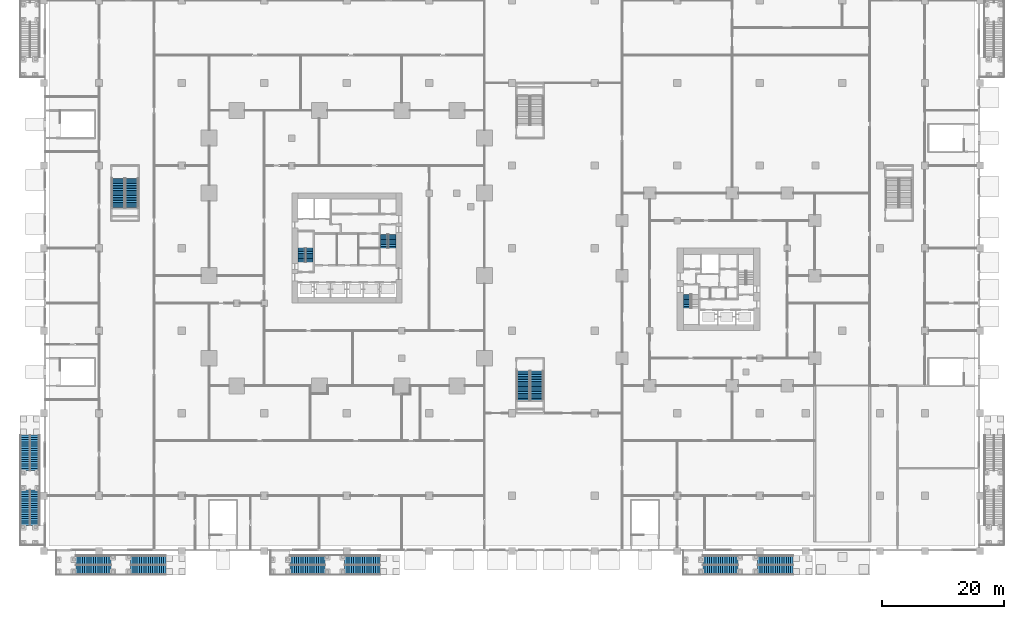
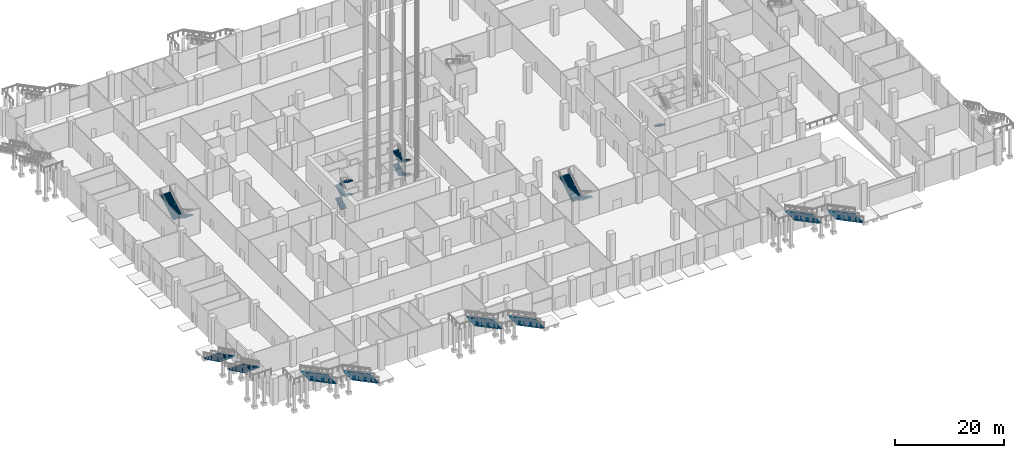
# One storey, part 37 of 68: 21 stair flights, 9 elements without a shape of their own.
"""IFC4 building model written with IfcOpenShell, lengths in metres."""

from ifc_helpers import new_model, si_unit, direction, frame, origin, place, context, subcontext, project, spatial, polyline, outline, extrude, material, type_object, element, aggregate, save


model = new_model("IFC4")

# Units and contexts
model_context = context("Model", 3, precision=1e-05, world=origin(), true_north=direction((0.0, 1.0)))
body_context = subcontext(model_context, "Body", "Model", "MODEL_VIEW")
ifc_project = project(units=[si_unit("LENGTHUNIT", "METRE"), si_unit("AREAUNIT", "SQUARE_METRE"), si_unit("VOLUMEUNIT", "CUBIC_METRE"), si_unit("PLANEANGLEUNIT", "RADIAN"), si_unit("MASSUNIT", "GRAM", prefix="KILO")], contexts=[model_context])

# Site, building, storey
site_placement = place(None, origin())
site = spatial("IfcSite", under=ifc_project, at=site_placement, CompositionType="ELEMENT")
building_placement = place(site_placement, origin())
building = spatial("IfcBuilding", under=site, at=building_placement, Name="Altepetl Exchange Towers", CompositionType="ELEMENT")
storey_placement = place(building_placement, origin())
storey = spatial("IfcBuildingStorey", under=building, at=storey_placement, Name="L00 Ground concourse", CompositionType="ELEMENT", Elevation=0.0)

# Stair, stair flights
ifc_material_1 = material(Name="Reinforced concrete C35/45", Category="concrete")
stair_type_1 = type_object("IfcStairType", Name="Exit garden steps 3200", PredefinedType="TWO_STRAIGHT_RUN_STAIR", material=ifc_material_1)
stair_1_placement = place(storey_placement, origin())
stair_1 = element("IfcStair", 1, at=stair_1_placement, inside=storey, type_object=stair_type_1, Name="ST-G1 exit garden steps", PredefinedType="TWO_STRAIGHT_RUN_STAIR")
stair_flight_type_1 = type_object("IfcStairFlightType", Name="Exit garden steps flight 3200", PredefinedType="STRAIGHT", material=ifc_material_1)
stair_flight_1_placement = place(storey_placement, frame((10.9599609375, -2.300048828125, 3.0), z_axis=(0.0, 0.0, 1.0), x_axis=(-1.0, 0.0, 0.0)))
stair_flight_1 = element("IfcStairFlight", 2, at=stair_flight_1_placement, type_object=stair_flight_type_1, Name="ST-G1 flight 1", NumberOfRisers=17, NumberOfTreads=16, PredefinedType="STRAIGHT", RiserHeight=0.176471, TreadLength=0.36, context=body_context, shape_type="SweptSolid", body=[
    extrude(outline(polyline([(0.0, 0.0), (0.0, 0.176513671875), (0.360107421875, 0.176513671875), (0.360107421875, 0.35302734375), (0.719970703125, 0.35302734375), (0.719970703125, 0.529296875), (1.080078125, 0.529296875), (1.080078125, 0.705810546875), (1.43994140625, 0.705810546875), (1.43994140625, 0.88232421875), (1.800048828125, 0.88232421875), (1.800048828125, 1.058837890625), (2.159912109375, 1.058837890625), (2.159912109375, 1.2353515625), (2.52001953125, 1.2353515625), (2.52001953125, 1.411865234375), (2.8798828125, 1.411865234375), (2.8798828125, 1.588134765625), (3.239990234375, 1.588134765625), (3.239990234375, 1.7646484375), (3.60009765625, 1.7646484375), (3.60009765625, 1.941162109375), (3.9599609375, 1.941162109375), (3.9599609375, 2.11767578125), (4.320068359375, 2.11767578125), (4.320068359375, 2.294189453125), (4.679931640625, 2.294189453125), (4.679931640625, 2.470703125), (5.0400390625, 2.470703125), (5.0400390625, 2.64697265625), (5.39990234375, 2.64697265625), (5.39990234375, 2.823486328125), (5.760009765625, 2.823486328125), (5.760009765625, 3.0), (5.760009765625, 2.600830078125), (0.454345703125, 0.0), (0.0, 0.0)])), frame((0.0, 1.60009765625, 0.0), z_axis=(0.0, -1.0, 0.0), x_axis=(1.0, 0.0, 0.0)), (0.0, 0.0, 1.0), 3.199951171875),
])
stair_flight_2_placement = place(storey_placement, frame((19.919921875, -2.300048828125, 0.0), z_axis=(0.0, 0.0, 1.0), x_axis=(-1.0, 0.0, 0.0)))
stair_flight_2 = element("IfcStairFlight", 3, at=stair_flight_2_placement, type_object=stair_flight_type_1, Name="ST-G1 flight 2", NumberOfRisers=17, NumberOfTreads=16, PredefinedType="STRAIGHT", RiserHeight=0.176471, TreadLength=0.36, context=body_context, shape_type="SweptSolid", body=[
    extrude(outline(polyline([(0.0, 0.0), (0.0, 0.176513671875), (0.360107421875, 0.176513671875), (0.360107421875, 0.35302734375), (0.719970703125, 0.35302734375), (0.719970703125, 0.529296875), (1.080078125, 0.529296875), (1.080078125, 0.705810546875), (1.43994140625, 0.705810546875), (1.43994140625, 0.88232421875), (1.800048828125, 0.88232421875), (1.800048828125, 1.058837890625), (2.159912109375, 1.058837890625), (2.159912109375, 1.2353515625), (2.52001953125, 1.2353515625), (2.52001953125, 1.411865234375), (2.8798828125, 1.411865234375), (2.8798828125, 1.588134765625), (3.239990234375, 1.588134765625), (3.239990234375, 1.7646484375), (3.60009765625, 1.7646484375), (3.60009765625, 1.941162109375), (3.9599609375, 1.941162109375), (3.9599609375, 2.11767578125), (4.320068359375, 2.11767578125), (4.320068359375, 2.294189453125), (4.679931640625, 2.294189453125), (4.679931640625, 2.470703125), (5.0400390625, 2.470703125), (5.0400390625, 2.64697265625), (5.39990234375, 2.64697265625), (5.39990234375, 2.823486328125), (5.760009765625, 2.823486328125), (5.760009765625, 3.0), (5.760009765625, 2.600830078125), (0.454345703125, 0.0), (0.0, 0.0)])), frame((0.0, 1.60009765625, 0.0), z_axis=(0.0, -1.0, 0.0), x_axis=(1.0, 0.0, 0.0)), (0.0, 0.0, 1.0), 3.199951171875),
])
aggregate(stair_1, [stair_flight_1, stair_flight_2])

stair_2_placement = place(storey_placement, origin())
stair_2 = element("IfcStair", 4, at=stair_2_placement, inside=storey, type_object=stair_type_1, Name="ST-G2 exit garden steps", PredefinedType="TWO_STRAIGHT_RUN_STAIR")
stair_flight_3_placement = place(storey_placement, frame((45.9599609375, -2.300048828125, 3.0), z_axis=(0.0, 0.0, 1.0), x_axis=(-1.0, 0.0, 0.0)))
stair_flight_3 = element("IfcStairFlight", 5, at=stair_flight_3_placement, type_object=stair_flight_type_1, Name="ST-G2 flight 1", NumberOfRisers=17, NumberOfTreads=16, PredefinedType="STRAIGHT", RiserHeight=0.176471, TreadLength=0.36, context=body_context, shape_type="SweptSolid", body=[
    extrude(outline(polyline([(0.0, 0.0), (0.0, 0.176513671875), (0.360107421875, 0.176513671875), (0.360107421875, 0.35302734375), (0.719970703125, 0.35302734375), (0.719970703125, 0.529296875), (1.080078125, 0.529296875), (1.080078125, 0.705810546875), (1.43994140625, 0.705810546875), (1.43994140625, 0.88232421875), (1.800048828125, 0.88232421875), (1.800048828125, 1.058837890625), (2.159912109375, 1.058837890625), (2.159912109375, 1.2353515625), (2.52001953125, 1.2353515625), (2.52001953125, 1.411865234375), (2.8798828125, 1.411865234375), (2.8798828125, 1.588134765625), (3.239990234375, 1.588134765625), (3.239990234375, 1.7646484375), (3.60009765625, 1.7646484375), (3.60009765625, 1.941162109375), (3.9599609375, 1.941162109375), (3.9599609375, 2.11767578125), (4.320068359375, 2.11767578125), (4.320068359375, 2.294189453125), (4.679931640625, 2.294189453125), (4.679931640625, 2.470703125), (5.0400390625, 2.470703125), (5.0400390625, 2.64697265625), (5.39990234375, 2.64697265625), (5.39990234375, 2.823486328125), (5.760009765625, 2.823486328125), (5.760009765625, 3.0), (5.760009765625, 2.600830078125), (0.454345703125, 0.0), (0.0, 0.0)])), frame((0.0, 1.60009765625, 0.0), z_axis=(0.0, -1.0, 0.0), x_axis=(1.0, 0.0, 0.0)), (0.0, 0.0, 1.0), 3.199951171875),
])
stair_flight_4_placement = place(storey_placement, frame((54.919921875, -2.300048828125, 0.0), z_axis=(0.0, 0.0, 1.0), x_axis=(-1.0, 0.0, 0.0)))
stair_flight_4 = element("IfcStairFlight", 6, at=stair_flight_4_placement, type_object=stair_flight_type_1, Name="ST-G2 flight 2", NumberOfRisers=17, NumberOfTreads=16, PredefinedType="STRAIGHT", RiserHeight=0.176471, TreadLength=0.36, context=body_context, shape_type="SweptSolid", body=[
    extrude(outline(polyline([(0.0, 0.0), (0.0, 0.176513671875), (0.360107421875, 0.176513671875), (0.360107421875, 0.35302734375), (0.719970703125, 0.35302734375), (0.719970703125, 0.529296875), (1.080078125, 0.529296875), (1.080078125, 0.705810546875), (1.43994140625, 0.705810546875), (1.43994140625, 0.88232421875), (1.800048828125, 0.88232421875), (1.800048828125, 1.058837890625), (2.159912109375, 1.058837890625), (2.159912109375, 1.2353515625), (2.52001953125, 1.2353515625), (2.52001953125, 1.411865234375), (2.8798828125, 1.411865234375), (2.8798828125, 1.588134765625), (3.239990234375, 1.588134765625), (3.239990234375, 1.7646484375), (3.60009765625, 1.7646484375), (3.60009765625, 1.941162109375), (3.9599609375, 1.941162109375), (3.9599609375, 2.11767578125), (4.320068359375, 2.11767578125), (4.320068359375, 2.294189453125), (4.679931640625, 2.294189453125), (4.679931640625, 2.470703125), (5.0400390625, 2.470703125), (5.0400390625, 2.64697265625), (5.39990234375, 2.64697265625), (5.39990234375, 2.823486328125), (5.760009765625, 2.823486328125), (5.760009765625, 3.0), (5.760009765625, 2.600830078125), (0.454345703125, 0.0), (0.0, 0.0)])), frame((0.0, 1.60009765625, 0.0), z_axis=(0.0, -1.0, 0.0), x_axis=(1.0, 0.0, 0.0)), (0.0, 0.0, 1.0), 3.199951171875),
])
aggregate(stair_2, [stair_flight_3, stair_flight_4])

stair_3_placement = place(storey_placement, origin())
stair_3 = element("IfcStair", 7, at=stair_3_placement, inside=storey, type_object=stair_type_1, Name="ST-G10 exit garden steps", PredefinedType="TWO_STRAIGHT_RUN_STAIR")
stair_flight_5_placement = place(storey_placement, frame((113.4599609375, -2.300048828125, 3.0), z_axis=(0.0, 0.0, 1.0), x_axis=(-1.0, 0.0, 0.0)))
stair_flight_5 = element("IfcStairFlight", 8, at=stair_flight_5_placement, type_object=stair_flight_type_1, Name="ST-G10 flight 1", NumberOfRisers=17, NumberOfTreads=16, PredefinedType="STRAIGHT", RiserHeight=0.176471, TreadLength=0.36, context=body_context, shape_type="SweptSolid", body=[
    extrude(outline(polyline([(0.0, 0.0), (0.0, 0.176513671875), (0.360107421875, 0.176513671875), (0.360107421875, 0.35302734375), (0.719970703125, 0.35302734375), (0.719970703125, 0.529296875), (1.080078125, 0.529296875), (1.080078125, 0.705810546875), (1.43994140625, 0.705810546875), (1.43994140625, 0.88232421875), (1.800048828125, 0.88232421875), (1.800048828125, 1.058837890625), (2.159912109375, 1.058837890625), (2.159912109375, 1.2353515625), (2.52001953125, 1.2353515625), (2.52001953125, 1.411865234375), (2.8798828125, 1.411865234375), (2.8798828125, 1.588134765625), (3.239990234375, 1.588134765625), (3.239990234375, 1.7646484375), (3.60009765625, 1.7646484375), (3.60009765625, 1.941162109375), (3.9599609375, 1.941162109375), (3.9599609375, 2.11767578125), (4.320068359375, 2.11767578125), (4.320068359375, 2.294189453125), (4.679931640625, 2.294189453125), (4.679931640625, 2.470703125), (5.0400390625, 2.470703125), (5.0400390625, 2.64697265625), (5.39990234375, 2.64697265625), (5.39990234375, 2.823486328125), (5.760009765625, 2.823486328125), (5.760009765625, 3.0), (5.760009765625, 2.600830078125), (0.454345703125, 0.0), (0.0, 0.0)])), frame((0.0, 1.60009765625, 0.0), z_axis=(0.0, -1.0, 0.0), x_axis=(1.0, 0.0, 0.0)), (0.0, 0.0, 1.0), 3.199951171875),
])
stair_flight_6_placement = place(storey_placement, frame((122.419921875, -2.300048828125, 0.0), z_axis=(0.0, 0.0, 1.0), x_axis=(-1.0, 0.0, 0.0)))
stair_flight_6 = element("IfcStairFlight", 9, at=stair_flight_6_placement, type_object=stair_flight_type_1, Name="ST-G10 flight 2", NumberOfRisers=17, NumberOfTreads=16, PredefinedType="STRAIGHT", RiserHeight=0.176471, TreadLength=0.36, context=body_context, shape_type="SweptSolid", body=[
    extrude(outline(polyline([(0.0, 0.0), (0.0, 0.176513671875), (0.360107421875, 0.176513671875), (0.360107421875, 0.35302734375), (0.719970703125, 0.35302734375), (0.719970703125, 0.529296875), (1.080078125, 0.529296875), (1.080078125, 0.705810546875), (1.43994140625, 0.705810546875), (1.43994140625, 0.88232421875), (1.800048828125, 0.88232421875), (1.800048828125, 1.058837890625), (2.159912109375, 1.058837890625), (2.159912109375, 1.2353515625), (2.52001953125, 1.2353515625), (2.52001953125, 1.411865234375), (2.8798828125, 1.411865234375), (2.8798828125, 1.588134765625), (3.239990234375, 1.588134765625), (3.239990234375, 1.7646484375), (3.60009765625, 1.7646484375), (3.60009765625, 1.941162109375), (3.9599609375, 1.941162109375), (3.9599609375, 2.11767578125), (4.320068359375, 2.11767578125), (4.320068359375, 2.294189453125), (4.679931640625, 2.294189453125), (4.679931640625, 2.470703125), (5.0400390625, 2.470703125), (5.0400390625, 2.64697265625), (5.39990234375, 2.64697265625), (5.39990234375, 2.823486328125), (5.760009765625, 2.823486328125), (5.760009765625, 3.0), (5.760009765625, 2.600830078125), (0.454345703125, 0.0), (0.0, 0.0)])), frame((0.0, 1.60009765625, 0.0), z_axis=(0.0, -1.0, 0.0), x_axis=(1.0, 0.0, 0.0)), (0.0, 0.0, 1.0), 3.199951171875),
])
aggregate(stair_3, [stair_flight_5, stair_flight_6])

stair_4_placement = place(storey_placement, origin())
stair_4 = element("IfcStair", 10, at=stair_4_placement, inside=storey, type_object=stair_type_1, Name="ST-G12 exit garden steps", PredefinedType="TWO_STRAIGHT_RUN_STAIR")
stair_flight_7_placement = place(storey_placement, frame((-2.300048828125, 9.9599609375, 3.0), z_axis=(0.0, 0.0, 1.0), x_axis=(0.0, -1.0, 0.0)))
stair_flight_7 = element("IfcStairFlight", 11, at=stair_flight_7_placement, type_object=stair_flight_type_1, Name="ST-G12 flight 1", NumberOfRisers=17, NumberOfTreads=16, PredefinedType="STRAIGHT", RiserHeight=0.176471, TreadLength=0.36, context=body_context, shape_type="SweptSolid", body=[
    extrude(outline(polyline([(0.0, 0.0), (0.0, 0.176513671875), (0.360107421875, 0.176513671875), (0.360107421875, 0.35302734375), (0.719970703125, 0.35302734375), (0.719970703125, 0.529296875), (1.080078125, 0.529296875), (1.080078125, 0.705810546875), (1.43994140625, 0.705810546875), (1.43994140625, 0.88232421875), (1.800048828125, 0.88232421875), (1.800048828125, 1.058837890625), (2.159912109375, 1.058837890625), (2.159912109375, 1.2353515625), (2.52001953125, 1.2353515625), (2.52001953125, 1.411865234375), (2.8798828125, 1.411865234375), (2.8798828125, 1.588134765625), (3.239990234375, 1.588134765625), (3.239990234375, 1.7646484375), (3.60009765625, 1.7646484375), (3.60009765625, 1.941162109375), (3.9599609375, 1.941162109375), (3.9599609375, 2.11767578125), (4.320068359375, 2.11767578125), (4.320068359375, 2.294189453125), (4.679931640625, 2.294189453125), (4.679931640625, 2.470703125), (5.0400390625, 2.470703125), (5.0400390625, 2.64697265625), (5.39990234375, 2.64697265625), (5.39990234375, 2.823486328125), (5.760009765625, 2.823486328125), (5.760009765625, 3.0), (5.760009765625, 2.600830078125), (0.454345703125, 0.0), (0.0, 0.0)])), frame((0.0, 1.60009765625, 0.0), z_axis=(0.0, -1.0, 0.0), x_axis=(1.0, 0.0, 0.0)), (0.0, 0.0, 1.0), 3.199951171875),
])
stair_flight_8_placement = place(storey_placement, frame((-2.300048828125, 18.919921875, 0.0), z_axis=(0.0, 0.0, 1.0), x_axis=(0.0, -1.0, 0.0)))
stair_flight_8 = element("IfcStairFlight", 12, at=stair_flight_8_placement, type_object=stair_flight_type_1, Name="ST-G12 flight 2", NumberOfRisers=17, NumberOfTreads=16, PredefinedType="STRAIGHT", RiserHeight=0.176471, TreadLength=0.36, context=body_context, shape_type="SweptSolid", body=[
    extrude(outline(polyline([(0.0, 0.0), (0.0, 0.176513671875), (0.360107421875, 0.176513671875), (0.360107421875, 0.35302734375), (0.719970703125, 0.35302734375), (0.719970703125, 0.529296875), (1.080078125, 0.529296875), (1.080078125, 0.705810546875), (1.43994140625, 0.705810546875), (1.43994140625, 0.88232421875), (1.800048828125, 0.88232421875), (1.800048828125, 1.058837890625), (2.159912109375, 1.058837890625), (2.159912109375, 1.2353515625), (2.52001953125, 1.2353515625), (2.52001953125, 1.411865234375), (2.8798828125, 1.411865234375), (2.8798828125, 1.588134765625), (3.239990234375, 1.588134765625), (3.239990234375, 1.7646484375), (3.60009765625, 1.7646484375), (3.60009765625, 1.941162109375), (3.9599609375, 1.941162109375), (3.9599609375, 2.11767578125), (4.320068359375, 2.11767578125), (4.320068359375, 2.294189453125), (4.679931640625, 2.294189453125), (4.679931640625, 2.470703125), (5.0400390625, 2.470703125), (5.0400390625, 2.64697265625), (5.39990234375, 2.64697265625), (5.39990234375, 2.823486328125), (5.760009765625, 2.823486328125), (5.760009765625, 3.0), (5.760009765625, 2.600830078125), (0.454345703125, 0.0), (0.0, 0.0)])), frame((0.0, 1.60009765625, 0.0), z_axis=(0.0, -1.0, 0.0), x_axis=(1.0, 0.0, 0.0)), (0.0, 0.0, 1.0), 3.199951171875),
])
aggregate(stair_4, [stair_flight_7, stair_flight_8])

ifc_material_2 = material(Name="Concrete C40/50", Category="concrete")
stair_type_2 = type_object("IfcStairType", Name="Exit stair 1200 flights dogleg", PredefinedType="HALF_TURN_STAIR", material=ifc_material_2)
stair_5_placement = place(storey_placement, origin())
stair_5 = element("IfcStair", 13, at=stair_5_placement, inside=storey, type_object=stair_type_2, Name="Exit stair 1", PredefinedType="HALF_TURN_STAIR")
stair_flight_type_2 = type_object("IfcStairFlightType", Name="Stair flight 1200 wide", PredefinedType="STRAIGHT", material=ifc_material_2)
stair_flight_9_placement = place(storey_placement, frame((42.10009765625, 47.25, 0.0), z_axis=(0.0, 0.0, 1.0), x_axis=(0.0, 1.0, 0.0)))
stair_flight_9 = element("IfcStairFlight", 14, at=stair_flight_9_placement, type_object=stair_flight_type_2, Name="ST-A1a flight 1", NumberOfRisers=9, NumberOfTreads=8, PredefinedType="STRAIGHT", RiserHeight=0.166666667, TreadLength=0.28, context=body_context, shape_type="SweptSolid", body=[
    extrude(outline(polyline([(0.0, 0.0), (0.0, 0.166748046875), (0.280029296875, 0.166748046875), (0.280029296875, 0.333251953125), (0.56005859375, 0.333251953125), (0.56005859375, 0.5), (0.840087890625, 0.5), (0.840087890625, 0.666748046875), (1.1201171875, 0.666748046875), (1.1201171875, 0.833251953125), (1.39990234375, 0.833251953125), (1.39990234375, 1.0), (1.679931640625, 1.0), (1.679931640625, 1.166748046875), (1.9599609375, 1.166748046875), (1.9599609375, 1.333251953125), (2.239990234375, 1.333251953125), (2.239990234375, 1.5), (2.239990234375, 1.158935546875), (0.29296875, 0.0), (0.0, 0.0)])), frame((0.0, 0.60009765625, 0.0), z_axis=(0.0, -1.0, 0.0), x_axis=(1.0, 0.0, 0.0)), (0.0, 0.0, 1.0), 1.199951171875),
])
stair_flight_10_placement = place(storey_placement, frame((43.39990234375, 49.489990234375, 1.5), z_axis=(0.0, 0.0, 1.0), x_axis=(0.0, -1.0, 0.0)))
stair_flight_10 = element("IfcStairFlight", 15, at=stair_flight_10_placement, type_object=stair_flight_type_2, Name="ST-A1a flight 2", NumberOfRisers=9, NumberOfTreads=8, PredefinedType="STRAIGHT", RiserHeight=0.166666667, TreadLength=0.28, context=body_context, shape_type="SweptSolid", body=[
    extrude(outline(polyline([(0.0, 0.0), (0.0, 0.166748046875), (0.280029296875, 0.166748046875), (0.280029296875, 0.333251953125), (0.56005859375, 0.333251953125), (0.56005859375, 0.5), (0.840087890625, 0.5), (0.840087890625, 0.666748046875), (1.1201171875, 0.666748046875), (1.1201171875, 0.833251953125), (1.39990234375, 0.833251953125), (1.39990234375, 1.0), (1.679931640625, 1.0), (1.679931640625, 1.166748046875), (1.9599609375, 1.166748046875), (1.9599609375, 1.333251953125), (2.239990234375, 1.333251953125), (2.239990234375, 1.5), (2.239990234375, 1.158935546875), (0.29296875, 0.0), (0.0, 0.0)])), frame((0.0, 0.60009765625, 0.0), z_axis=(0.0, -1.0, 0.0), x_axis=(1.0, 0.0, 0.0)), (0.0, 0.0, 1.0), 1.199951171875),
])
stair_flight_11_placement = place(storey_placement, frame((42.10009765625, 47.25, 3.0), z_axis=(0.0, 0.0, 1.0), x_axis=(0.0, 1.0, 0.0)))
stair_flight_11 = element("IfcStairFlight", 16, at=stair_flight_11_placement, type_object=stair_flight_type_2, Name="ST-A1a flight 3", NumberOfRisers=9, NumberOfTreads=8, PredefinedType="STRAIGHT", RiserHeight=0.166666667, TreadLength=0.28, context=body_context, shape_type="SweptSolid", body=[
    extrude(outline(polyline([(0.0, 0.0), (0.0, 0.166748046875), (0.280029296875, 0.166748046875), (0.280029296875, 0.333251953125), (0.56005859375, 0.333251953125), (0.56005859375, 0.5), (0.840087890625, 0.5), (0.840087890625, 0.666748046875), (1.1201171875, 0.666748046875), (1.1201171875, 0.833251953125), (1.39990234375, 0.833251953125), (1.39990234375, 1.0), (1.679931640625, 1.0), (1.679931640625, 1.166748046875), (1.9599609375, 1.166748046875), (1.9599609375, 1.333251953125), (2.239990234375, 1.333251953125), (2.239990234375, 1.5), (2.239990234375, 1.158935546875), (0.29296875, 0.0), (0.0, 0.0)])), frame((0.0, 0.60009765625, 0.0), z_axis=(0.0, -1.0, 0.0), x_axis=(1.0, 0.0, 0.0)), (0.0, 0.0, 1.0), 1.199951171875),
])
stair_flight_12_placement = place(storey_placement, frame((43.39990234375, 49.489990234375, 4.5), z_axis=(0.0, 0.0, 1.0), x_axis=(0.0, -1.0, 0.0)))
stair_flight_12 = element("IfcStairFlight", 17, at=stair_flight_12_placement, type_object=stair_flight_type_2, Name="ST-A1a flight 4", NumberOfRisers=9, NumberOfTreads=8, PredefinedType="STRAIGHT", RiserHeight=0.166666667, TreadLength=0.28, context=body_context, shape_type="SweptSolid", body=[
    extrude(outline(polyline([(0.0, 0.0), (0.0, 0.166748046875), (0.280029296875, 0.166748046875), (0.280029296875, 0.333251953125), (0.56005859375, 0.333251953125), (0.56005859375, 0.5), (0.840087890625, 0.5), (0.840087890625, 0.666748046875), (1.1201171875, 0.666748046875), (1.1201171875, 0.833251953125), (1.39990234375, 0.833251953125), (1.39990234375, 1.0), (1.679931640625, 1.0), (1.679931640625, 1.166748046875), (1.9599609375, 1.166748046875), (1.9599609375, 1.333251953125), (2.239990234375, 1.333251953125), (2.239990234375, 1.5), (2.239990234375, 1.158935546875), (0.29296875, 0.0), (0.0, 0.0)])), frame((0.0, 0.60009765625, 0.0), z_axis=(0.0, -1.0, 0.0), x_axis=(1.0, 0.0, 0.0)), (0.0, 0.0, 1.0), 1.199951171875),
])
aggregate(stair_5, [stair_flight_9, stair_flight_10, stair_flight_11, stair_flight_12])

stair_6_placement = place(storey_placement, origin())
stair_6 = element("IfcStair", 18, at=stair_6_placement, inside=storey, type_object=stair_type_2, Name="Exit stair 2", PredefinedType="HALF_TURN_STAIR")
stair_flight_13_placement = place(storey_placement, frame((56.89990234375, 51.75, 0.0), z_axis=(0.0, 0.0, 1.0), x_axis=(0.0, -1.0, 0.0)))
stair_flight_13 = element("IfcStairFlight", 19, at=stair_flight_13_placement, type_object=stair_flight_type_2, Name="ST-A2a flight 1", NumberOfRisers=9, NumberOfTreads=8, PredefinedType="STRAIGHT", RiserHeight=0.166666667, TreadLength=0.28, context=body_context, shape_type="SweptSolid", body=[
    extrude(outline(polyline([(0.0, 0.0), (0.0, 0.166748046875), (0.280029296875, 0.166748046875), (0.280029296875, 0.333251953125), (0.56005859375, 0.333251953125), (0.56005859375, 0.5), (0.840087890625, 0.5), (0.840087890625, 0.666748046875), (1.1201171875, 0.666748046875), (1.1201171875, 0.833251953125), (1.39990234375, 0.833251953125), (1.39990234375, 1.0), (1.679931640625, 1.0), (1.679931640625, 1.166748046875), (1.9599609375, 1.166748046875), (1.9599609375, 1.333251953125), (2.239990234375, 1.333251953125), (2.239990234375, 1.5), (2.239990234375, 1.158935546875), (0.29296875, 0.0), (0.0, 0.0)])), frame((0.0, 0.60009765625, 0.0), z_axis=(0.0, -1.0, 0.0), x_axis=(1.0, 0.0, 0.0)), (0.0, 0.0, 1.0), 1.199951171875),
])
stair_flight_14_placement = place(storey_placement, frame((55.60009765625, 49.510009765625, 1.5), z_axis=(0.0, 0.0, 1.0), x_axis=(0.0, 1.0, 0.0)))
stair_flight_14 = element("IfcStairFlight", 20, at=stair_flight_14_placement, type_object=stair_flight_type_2, Name="ST-A2a flight 2", NumberOfRisers=9, NumberOfTreads=8, PredefinedType="STRAIGHT", RiserHeight=0.166666667, TreadLength=0.28, context=body_context, shape_type="SweptSolid", body=[
    extrude(outline(polyline([(0.0, 0.0), (0.0, 0.166748046875), (0.280029296875, 0.166748046875), (0.280029296875, 0.333251953125), (0.56005859375, 0.333251953125), (0.56005859375, 0.5), (0.840087890625, 0.5), (0.840087890625, 0.666748046875), (1.1201171875, 0.666748046875), (1.1201171875, 0.833251953125), (1.39990234375, 0.833251953125), (1.39990234375, 1.0), (1.679931640625, 1.0), (1.679931640625, 1.166748046875), (1.9599609375, 1.166748046875), (1.9599609375, 1.333251953125), (2.239990234375, 1.333251953125), (2.239990234375, 1.5), (2.239990234375, 1.158935546875), (0.29296875, 0.0), (0.0, 0.0)])), frame((0.0, 0.60009765625, 0.0), z_axis=(0.0, -1.0, 0.0), x_axis=(1.0, 0.0, 0.0)), (0.0, 0.0, 1.0), 1.199951171875),
])
stair_flight_15_placement = place(storey_placement, frame((56.89990234375, 51.75, 3.0), z_axis=(0.0, 0.0, 1.0), x_axis=(0.0, -1.0, 0.0)))
stair_flight_15 = element("IfcStairFlight", 21, at=stair_flight_15_placement, type_object=stair_flight_type_2, Name="ST-A2a flight 3", NumberOfRisers=9, NumberOfTreads=8, PredefinedType="STRAIGHT", RiserHeight=0.166666667, TreadLength=0.28, context=body_context, shape_type="SweptSolid", body=[
    extrude(outline(polyline([(0.0, 0.0), (0.0, 0.166748046875), (0.280029296875, 0.166748046875), (0.280029296875, 0.333251953125), (0.56005859375, 0.333251953125), (0.56005859375, 0.5), (0.840087890625, 0.5), (0.840087890625, 0.666748046875), (1.1201171875, 0.666748046875), (1.1201171875, 0.833251953125), (1.39990234375, 0.833251953125), (1.39990234375, 1.0), (1.679931640625, 1.0), (1.679931640625, 1.166748046875), (1.9599609375, 1.166748046875), (1.9599609375, 1.333251953125), (2.239990234375, 1.333251953125), (2.239990234375, 1.5), (2.239990234375, 1.158935546875), (0.29296875, 0.0), (0.0, 0.0)])), frame((0.0, 0.60009765625, 0.0), z_axis=(0.0, -1.0, 0.0), x_axis=(1.0, 0.0, 0.0)), (0.0, 0.0, 1.0), 1.199951171875),
])
stair_flight_16_placement = place(storey_placement, frame((55.60009765625, 49.510009765625, 4.5), z_axis=(0.0, 0.0, 1.0), x_axis=(0.0, 1.0, 0.0)))
stair_flight_16 = element("IfcStairFlight", 22, at=stair_flight_16_placement, type_object=stair_flight_type_2, Name="ST-A2a flight 4", NumberOfRisers=9, NumberOfTreads=8, PredefinedType="STRAIGHT", RiserHeight=0.166666667, TreadLength=0.28, context=body_context, shape_type="SweptSolid", body=[
    extrude(outline(polyline([(0.0, 0.0), (0.0, 0.166748046875), (0.280029296875, 0.166748046875), (0.280029296875, 0.333251953125), (0.56005859375, 0.333251953125), (0.56005859375, 0.5), (0.840087890625, 0.5), (0.840087890625, 0.666748046875), (1.1201171875, 0.666748046875), (1.1201171875, 0.833251953125), (1.39990234375, 0.833251953125), (1.39990234375, 1.0), (1.679931640625, 1.0), (1.679931640625, 1.166748046875), (1.9599609375, 1.166748046875), (1.9599609375, 1.333251953125), (2.239990234375, 1.333251953125), (2.239990234375, 1.5), (2.239990234375, 1.158935546875), (0.29296875, 0.0), (0.0, 0.0)])), frame((0.0, 0.60009765625, 0.0), z_axis=(0.0, -1.0, 0.0), x_axis=(1.0, 0.0, 0.0)), (0.0, 0.0, 1.0), 1.199951171875),
])
aggregate(stair_6, [stair_flight_13, stair_flight_14, stair_flight_15, stair_flight_16])

# Stair, stair flight
stair_7_placement = place(storey_placement, origin())
stair_7 = element("IfcStair", 23, at=stair_7_placement, inside=storey, type_object=stair_type_2, Name="Exit stair 1", PredefinedType="HALF_TURN_STAIR")
stair_flight_17_placement = place(storey_placement, frame((105.10009765625, 41.949951171875, 0.0), z_axis=(0.0, 0.0, 1.0), x_axis=(0.0, -1.0, 0.0)))
stair_flight_17 = element("IfcStairFlight", 24, at=stair_flight_17_placement, type_object=stair_flight_type_2, Name="ST-B1a flight 1", NumberOfRisers=9, NumberOfTreads=8, PredefinedType="STRAIGHT", RiserHeight=0.166666667, TreadLength=0.28, context=body_context, shape_type="SweptSolid", body=[
    extrude(outline(polyline([(0.0, 0.0), (0.0, 0.166748046875), (0.280029296875, 0.166748046875), (0.280029296875, 0.333251953125), (0.56005859375, 0.333251953125), (0.56005859375, 0.5), (0.840087890625, 0.5), (0.840087890625, 0.666748046875), (1.1201171875, 0.666748046875), (1.1201171875, 0.833251953125), (1.39990234375, 0.833251953125), (1.39990234375, 1.0), (1.679931640625, 1.0), (1.679931640625, 1.166748046875), (1.9599609375, 1.166748046875), (1.9599609375, 1.333251953125), (2.239990234375, 1.333251953125), (2.239990234375, 1.5), (2.239990234375, 1.158935546875), (0.29296875, 0.0), (0.0, 0.0)])), frame((0.0, 0.60009765625, 0.0), z_axis=(0.0, -1.0, 0.0), x_axis=(1.0, 0.0, 0.0)), (0.0, 0.0, 1.0), 1.199951171875),
])
aggregate(stair_7, [stair_flight_17])

# Stair, stair flights
stair_type_3 = type_object("IfcStairType", Name="Exit half-turn stair 2025", PredefinedType="HALF_TURN_STAIR", material=ifc_material_1)
stair_8_placement = place(storey_placement, origin())
stair_8 = element("IfcStair", 25, at=stair_8_placement, inside=storey, type_object=stair_type_3, Name="ST-P9 stair", PredefinedType="HALF_TURN_STAIR")
stair_flight_type_3 = type_object("IfcStairFlightType", Name="Stair flight 2025", PredefinedType="STRAIGHT", material=ifc_material_1)
stair_flight_18_placement = place(storey_placement, frame((80.53759765625, 29.39990234375, 0.0), z_axis=(0.0, 0.0, 1.0), x_axis=(0.0, -1.0, 0.0)))
stair_flight_18 = element("IfcStairFlight", 26, at=stair_flight_18_placement, type_object=stair_flight_type_3, Name="ST-P9 flight 1", NumberOfRisers=18, NumberOfTreads=17, PredefinedType="STRAIGHT", RiserHeight=0.166667, TreadLength=0.28, context=body_context, shape_type="SweptSolid", body=[
    extrude(outline(polyline([(0.0, 0.0), (0.0, 0.166748046875), (0.280029296875, 0.166748046875), (0.280029296875, 0.333251953125), (0.56005859375, 0.333251953125), (0.56005859375, 0.5), (0.840087890625, 0.5), (0.840087890625, 0.666748046875), (1.1201171875, 0.666748046875), (1.1201171875, 0.833251953125), (1.39990234375, 0.833251953125), (1.39990234375, 1.0), (1.679931640625, 1.0), (1.679931640625, 1.166748046875), (1.9599609375, 1.166748046875), (1.9599609375, 1.333251953125), (2.239990234375, 1.333251953125), (2.239990234375, 1.5), (2.52001953125, 1.5), (2.52001953125, 1.666748046875), (2.800048828125, 1.666748046875), (2.800048828125, 1.833251953125), (3.080078125, 1.833251953125), (3.080078125, 2.0), (3.360107421875, 2.0), (3.360107421875, 2.166748046875), (3.639892578125, 2.166748046875), (3.639892578125, 2.333251953125), (3.919921875, 2.333251953125), (3.919921875, 2.5), (4.199951171875, 2.5), (4.199951171875, 2.666748046875), (4.47998046875, 2.666748046875), (4.47998046875, 2.833251953125), (4.760009765625, 2.833251953125), (4.760009765625, 3.0), (4.760009765625, 2.6005859375), (0.390869140625, 0.0), (0.0, 0.0)])), frame((0.0, 1.012451171875, 0.0), z_axis=(0.0, -1.0, 0.0), x_axis=(1.0, 0.0, 0.0)), (0.0, 0.0, 1.0), 2.02490234375),
])
stair_flight_19_placement = place(storey_placement, frame((78.362548828125, 24.639892578125, 3.0), z_axis=(0.0, 0.0, 1.0), x_axis=(0.0, 1.0, 0.0)))
stair_flight_19 = element("IfcStairFlight", 27, at=stair_flight_19_placement, type_object=stair_flight_type_3, Name="ST-P9 flight 2", NumberOfRisers=18, NumberOfTreads=17, PredefinedType="STRAIGHT", RiserHeight=0.166667, TreadLength=0.28, context=body_context, shape_type="SweptSolid", body=[
    extrude(outline(polyline([(0.0, 0.0), (0.0, 0.166748046875), (0.280029296875, 0.166748046875), (0.280029296875, 0.333251953125), (0.56005859375, 0.333251953125), (0.56005859375, 0.5), (0.840087890625, 0.5), (0.840087890625, 0.666748046875), (1.1201171875, 0.666748046875), (1.1201171875, 0.833251953125), (1.39990234375, 0.833251953125), (1.39990234375, 1.0), (1.679931640625, 1.0), (1.679931640625, 1.166748046875), (1.9599609375, 1.166748046875), (1.9599609375, 1.333251953125), (2.239990234375, 1.333251953125), (2.239990234375, 1.5), (2.52001953125, 1.5), (2.52001953125, 1.666748046875), (2.800048828125, 1.666748046875), (2.800048828125, 1.833251953125), (3.080078125, 1.833251953125), (3.080078125, 2.0), (3.360107421875, 2.0), (3.360107421875, 2.166748046875), (3.639892578125, 2.166748046875), (3.639892578125, 2.333251953125), (3.919921875, 2.333251953125), (3.919921875, 2.5), (4.199951171875, 2.5), (4.199951171875, 2.666748046875), (4.47998046875, 2.666748046875), (4.47998046875, 2.833251953125), (4.760009765625, 2.833251953125), (4.760009765625, 3.0), (4.760009765625, 2.6005859375), (0.390869140625, 0.0), (0.0, 0.0)])), frame((0.0, 1.012451171875, 0.0), z_axis=(0.0, -1.0, 0.0), x_axis=(1.0, 0.0, 0.0)), (0.0, 0.0, 1.0), 2.02490234375),
])
aggregate(stair_8, [stair_flight_18, stair_flight_19])

stair_9_placement = place(storey_placement, origin())
stair_9 = element("IfcStair", 28, at=stair_9_placement, inside=storey, type_object=stair_type_3, Name="ST-P12 stair", PredefinedType="HALF_TURN_STAIR")
stair_flight_20_placement = place(storey_placement, frame((14.33740234375, 60.89990234375, 0.0), z_axis=(0.0, 0.0, 1.0), x_axis=(0.0, -1.0, 0.0)))
stair_flight_20 = element("IfcStairFlight", 29, at=stair_flight_20_placement, type_object=stair_flight_type_3, Name="ST-P12 flight 1", NumberOfRisers=18, NumberOfTreads=17, PredefinedType="STRAIGHT", RiserHeight=0.166667, TreadLength=0.28, context=body_context, shape_type="SweptSolid", body=[
    extrude(outline(polyline([(0.0, 0.0), (0.0, 0.166748046875), (0.280029296875, 0.166748046875), (0.280029296875, 0.333251953125), (0.56005859375, 0.333251953125), (0.56005859375, 0.5), (0.840087890625, 0.5), (0.840087890625, 0.666748046875), (1.1201171875, 0.666748046875), (1.1201171875, 0.833251953125), (1.39990234375, 0.833251953125), (1.39990234375, 1.0), (1.679931640625, 1.0), (1.679931640625, 1.166748046875), (1.9599609375, 1.166748046875), (1.9599609375, 1.333251953125), (2.239990234375, 1.333251953125), (2.239990234375, 1.5), (2.52001953125, 1.5), (2.52001953125, 1.666748046875), (2.800048828125, 1.666748046875), (2.800048828125, 1.833251953125), (3.080078125, 1.833251953125), (3.080078125, 2.0), (3.360107421875, 2.0), (3.360107421875, 2.166748046875), (3.639892578125, 2.166748046875), (3.639892578125, 2.333251953125), (3.919921875, 2.333251953125), (3.919921875, 2.5), (4.199951171875, 2.5), (4.199951171875, 2.666748046875), (4.47998046875, 2.666748046875), (4.47998046875, 2.833251953125), (4.760009765625, 2.833251953125), (4.760009765625, 3.0), (4.760009765625, 2.6005859375), (0.390869140625, 0.0), (0.0, 0.0)])), frame((0.0, 1.012451171875, 0.0), z_axis=(0.0, -1.0, 0.0), x_axis=(1.0, 0.0, 0.0)), (0.0, 0.0, 1.0), 2.02490234375),
])
stair_flight_21_placement = place(storey_placement, frame((12.16259765625, 56.139892578125, 3.0), z_axis=(0.0, 0.0, 1.0), x_axis=(0.0, 1.0, 0.0)))
stair_flight_21 = element("IfcStairFlight", 30, at=stair_flight_21_placement, type_object=stair_flight_type_3, Name="ST-P12 flight 2", NumberOfRisers=18, NumberOfTreads=17, PredefinedType="STRAIGHT", RiserHeight=0.166667, TreadLength=0.28, context=body_context, shape_type="SweptSolid", body=[
    extrude(outline(polyline([(0.0, 0.0), (0.0, 0.166748046875), (0.280029296875, 0.166748046875), (0.280029296875, 0.333251953125), (0.56005859375, 0.333251953125), (0.56005859375, 0.5), (0.840087890625, 0.5), (0.840087890625, 0.666748046875), (1.1201171875, 0.666748046875), (1.1201171875, 0.833251953125), (1.39990234375, 0.833251953125), (1.39990234375, 1.0), (1.679931640625, 1.0), (1.679931640625, 1.166748046875), (1.9599609375, 1.166748046875), (1.9599609375, 1.333251953125), (2.239990234375, 1.333251953125), (2.239990234375, 1.5), (2.52001953125, 1.5), (2.52001953125, 1.666748046875), (2.800048828125, 1.666748046875), (2.800048828125, 1.833251953125), (3.080078125, 1.833251953125), (3.080078125, 2.0), (3.360107421875, 2.0), (3.360107421875, 2.166748046875), (3.639892578125, 2.166748046875), (3.639892578125, 2.333251953125), (3.919921875, 2.333251953125), (3.919921875, 2.5), (4.199951171875, 2.5), (4.199951171875, 2.666748046875), (4.47998046875, 2.666748046875), (4.47998046875, 2.833251953125), (4.760009765625, 2.833251953125), (4.760009765625, 3.0), (4.760009765625, 2.6005859375), (0.390869140625, 0.0), (0.0, 0.0)])), frame((0.0, 1.012451171875, 0.0), z_axis=(0.0, -1.0, 0.0), x_axis=(1.0, 0.0, 0.0)), (0.0, 0.0, 1.0), 2.02490234375),
])
aggregate(stair_9, [stair_flight_20, stair_flight_21])

save(model, "model.ifc")
